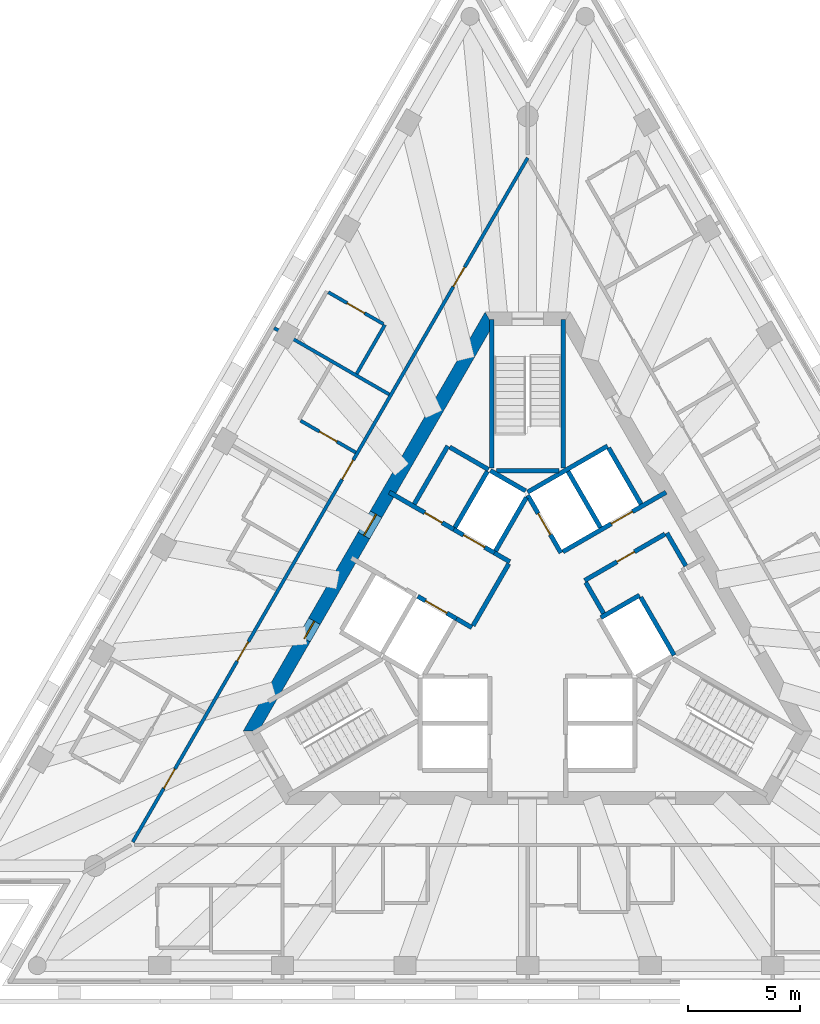
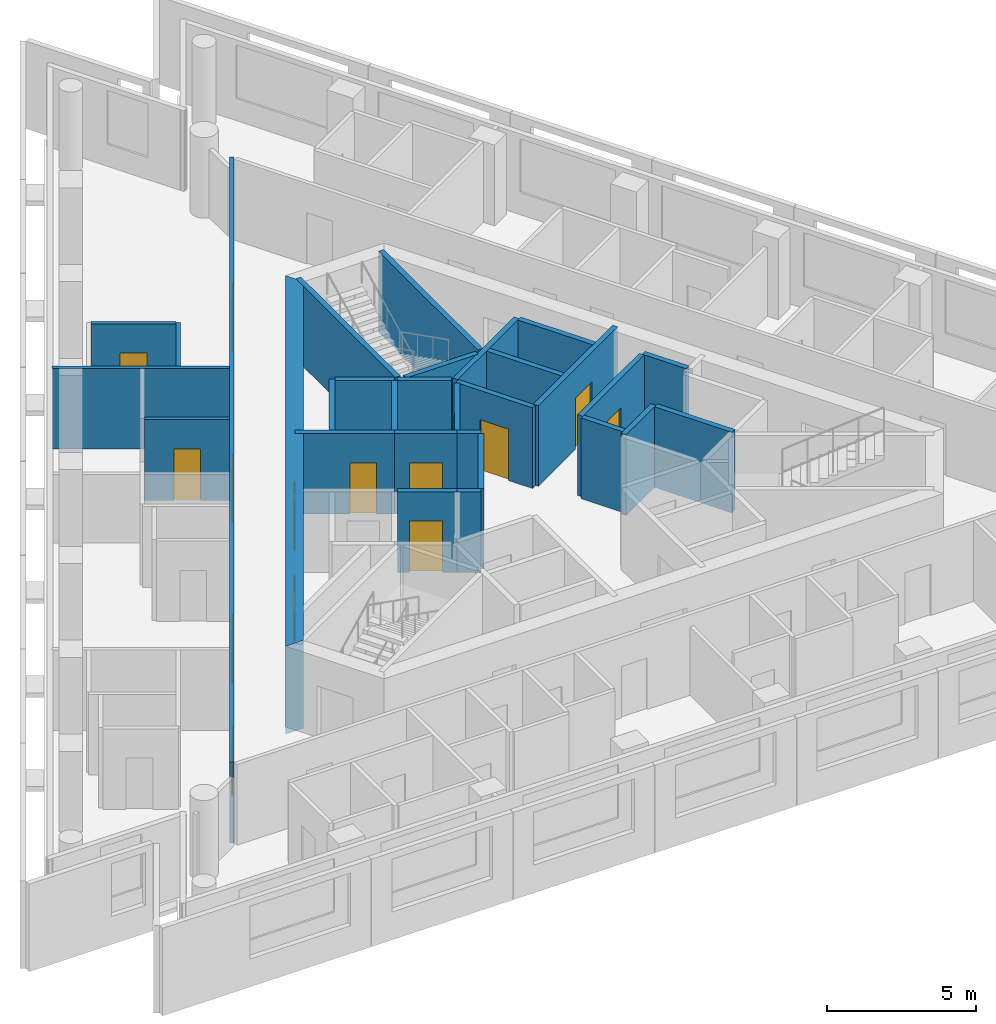
# One storey, part 5 of 9: 30 walls, 14 doors, 14 openings.
"""IFC4 building model written with IfcOpenShell, lengths in metres."""

from ifc_helpers import new_model, si_unit, direction, frame, frame_2d, origin, place, context, subcontext, project, spatial, polyline, rectangle, outline, extrude, material, layer, layer_set, type_object, element, fill, save


model = new_model("IFC4")

# Units and contexts
model_context = context("Model", 3, precision=1e-05, world=origin(), true_north=direction((0.0, 1.0)))
body_context = subcontext(model_context, "Body", "Model", "MODEL_VIEW")
ifc_project = project(units=[si_unit("LENGTHUNIT", "METRE"), si_unit("AREAUNIT", "SQUARE_METRE"), si_unit("VOLUMEUNIT", "CUBIC_METRE"), si_unit("PLANEANGLEUNIT", "RADIAN"), si_unit("MASSUNIT", "GRAM", prefix="KILO")], contexts=[model_context])

# Site, building, storey
site_placement = place(None, origin())
site = spatial("IfcSite", under=ifc_project, at=site_placement, CompositionType="ELEMENT")
building_placement = place(site_placement, origin())
building = spatial("IfcBuilding", under=site, at=building_placement, Name="Triada Interchange Tower", CompositionType="ELEMENT")
storey_placement = place(building_placement, frame((0.0, 0.0, 282.699951171875)))
storey = spatial("IfcBuildingStorey", under=building, at=storey_placement, Name="L66", CompositionType="ELEMENT", Elevation=282.699951171875)

# Wall
ifc_material_1 = material(Name="Concrete C30/37", Category="concrete")
ifc_layer_1 = layer(ifc_material_1, 0.199951171875)
ifc_layer_set_1 = layer_set([ifc_layer_1], Name="CORE WALL 200 EI 120")
wall_type_1 = type_object("IfcWallType", Name="CORE WALL 200 EI 120", PredefinedType="SOLIDWALL", material=ifc_layer_set_1)
wall_1_placement = place(storey_placement, frame((-0.001953125, 5.541015625, 0.0), z_axis=(0.0, 0.0, 1.0), x_axis=(0.86600155993, 0.500041296494, 0.0)))
element("IfcWall", 1, at=wall_1_placement, inside=storey, type_object=wall_type_1, Name="Wall L65 80", PredefinedType="SOLIDWALL", context=body_context, shape_type="SweptSolid", body=[
    extrude(rectangle(XDim=4.131591796875, YDim=0.199951171875, at=frame_2d((2.06591796875, 0.0))), origin(), (0.0, 0.0, 1.0), 3.300048828125),
])

# Wall, opening, door
wall_2_placement = place(storey_placement, frame((0.0, 5.39990234375, 0.0), z_axis=(0.0, 0.0, 1.0), x_axis=(0.500103862429, -0.865965430478, 0.0)))
wall_2 = element("IfcWall", 2, at=wall_2_placement, inside=storey, type_object=wall_type_1, Name="Wall L65 81", PredefinedType="SOLIDWALL", context=body_context, shape_type="SweptSolid", body=[
    extrude(rectangle(XDim=2.973388671875, YDim=0.199951171875, at=frame_2d((1.48681640625, 0.0))), origin(), (0.0, 0.0, 1.0), 3.300048828125),
])
opening_1_placement = place(wall_2_placement, frame((0.93701171875, 0.0, 0.0)))
opening_1 = element("IfcOpeningElement", 3, at=opening_1_placement, cuts=wall_2, Name="Opening LD-HR5", PredefinedType="OPENING", context=body_context, shape_type="SweptSolid", body=[
    extrude(rectangle(XDim=1.10009765625, YDim=2.10009765625, at=frame_2d((0.550048828125, 1.050048828125))), frame((0.0, 0.10986328125, 0.0), z_axis=(0.0, -1.0, 0.0), x_axis=(1.0, 0.0, 0.0)), (0.0, 0.0, 1.0), 0.219970703125),
])
ifc_material_2 = material(Name="Steel S235 door leaf", Category="steel")
door_type_1 = type_object("IfcDoorType", Name="LIFT LANDING DOOR 1100 EI 120", OperationType="SLIDING_TO_LEFT", PredefinedType="DOOR", material=ifc_material_2)
door_1_placement = place(opening_1_placement, origin())
door_1 = element("IfcDoor", 4, at=door_1_placement, inside=storey, type_object=door_type_1, Name="HR5 landing door L66", OperationType="SLIDING_TO_LEFT", OverallHeight=2.10009765625, OverallWidth=1.10009765625, PredefinedType="DOOR", context=body_context, shape_type="SweptSolid", body=[
    extrude(rectangle(XDim=1.10009765625, YDim=2.10009765625, at=frame_2d((0.550048828125, 1.050048828125))), frame((0.0, 0.02490234375, 0.0), z_axis=(0.0, -1.0, 0.0), x_axis=(1.0, 0.0, 0.0)), (0.0, 0.0, 1.0), 0.050048828125),
])
fill(opening_1, door_1)

wall_3_placement = place(storey_placement, frame((1.577880859375, 2.8740234375, 0.0), z_axis=(0.0, 0.0, 1.0), x_axis=(0.866045911672, 0.499964477614, 0.0)))
wall_3 = element("IfcWall", 5, at=wall_3_placement, inside=storey, type_object=wall_type_1, Name="Wall L65 83", PredefinedType="SOLIDWALL", context=body_context, shape_type="SweptSolid", body=[
    extrude(rectangle(XDim=5.32666015625, YDim=0.199951171875, at=frame_2d((2.663330078125, 0.0))), origin(), (0.0, 0.0, 1.0), 3.300048828125),
])
opening_2_placement = place(wall_3_placement, frame((2.49609375, 0.0, 0.0)))
opening_2 = element("IfcOpeningElement", 6, at=opening_2_placement, cuts=wall_3, Name="Opening LD-HR6", PredefinedType="OPENING", context=body_context, shape_type="SweptSolid", body=[
    extrude(rectangle(XDim=1.10009765625, YDim=2.10009765625, at=frame_2d((0.550048828125, 1.050048828125))), frame((0.0, 0.10986328125, 0.0), z_axis=(0.0, -1.0, 0.0), x_axis=(1.0, 0.0, 0.0)), (0.0, 0.0, 1.0), 0.219970703125),
])
door_2_placement = place(opening_2_placement, origin())
door_2 = element("IfcDoor", 7, at=door_2_placement, inside=storey, type_object=door_type_1, Name="HR6 landing door L66", OperationType="SLIDING_TO_LEFT", OverallHeight=2.10009765625, OverallWidth=1.10009765625, PredefinedType="DOOR", context=body_context, shape_type="SweptSolid", body=[
    extrude(rectangle(XDim=1.10009765625, YDim=2.10009765625, at=frame_2d((0.550048828125, 1.050048828125))), frame((0.0, 0.02490234375, 0.0), z_axis=(0.0, -1.0, 0.0), x_axis=(1.0, 0.0, 0.0)), (0.0, 0.0, 1.0), 0.050048828125),
])
fill(opening_2, door_2)

# Walls
wall_4_placement = place(storey_placement, frame((3.278076171875, -0.071044921875, 0.0), z_axis=(0.0, 0.0, 1.0), x_axis=(0.865855657918, 0.500293893279, 0.0)))
element("IfcWall", 8, at=wall_4_placement, inside=storey, type_object=wall_type_1, Name="Wall L65 86", PredefinedType="SOLIDWALL", context=body_context, shape_type="SweptSolid", body=[
    extrude(rectangle(XDim=1.996826171875, YDim=0.199951171875, at=frame_2d((0.99853515625, 0.0))), origin(), (0.0, 0.0, 1.0), 3.300048828125),
])
for number, where, z_axis, x_axis, name in (
    (9, (3.6259765625, 7.52001953125, 0.0), (0.0, 0.0, 1.0), (0.500060147554, -0.865990674793, 0.0), "Wall L65 88"),
    (10, (1.806884765625, 6.469970703125, 0.0), (0.0, 0.0, 1.0), (0.50012328804, -0.865954211699, 0.0), "Wall L65 89"),
):
    element("IfcWall", number, at=place(storey_placement, frame(where, z_axis=z_axis, x_axis=x_axis)), inside=storey, type_object=wall_type_1, Name=name, PredefinedType="SOLIDWALL", context=body_context, shape_type="SweptSolid", body=[
        extrude(rectangle(XDim=2.899658203125, YDim=0.199951171875, at=frame_2d((1.44970703125, 0.0))), origin(), (0.0, 0.0, 1.0), 3.300048828125),
    ])
wall_5_placement = place(storey_placement, frame((5.056884765625, 0.841064453125, 0.0), z_axis=(0.0, 0.0, 1.0), x_axis=(0.499990139034, -0.866031096941, 0.0)))
element("IfcWall", 11, at=wall_5_placement, inside=storey, type_object=wall_type_1, Name="Wall L65 90", PredefinedType="SOLIDWALL", context=body_context, shape_type="SweptSolid", body=[
    extrude(rectangle(XDim=3.0, YDim=0.199951171875, at=frame_2d((1.5, 0.0))), origin(), (0.0, 0.0, 1.0), 3.300048828125),
])
wall_6_placement = place(storey_placement, frame((6.22900390625, 3.7119140625, 0.0), z_axis=(0.0, 0.0, 1.0), x_axis=(0.499875724984, -0.86609714211, 0.0)))
element("IfcWall", 12, at=wall_6_placement, inside=storey, type_object=wall_type_1, Name="Wall L65 92", PredefinedType="SOLIDWALL", context=body_context, shape_type="SweptSolid", body=[
    extrude(rectangle(XDim=1.70068359375, YDim=0.199951171875, at=frame_2d((0.850341796875, 0.0))), origin(), (0.0, 0.0, 1.0), 3.300048828125),
])

# Wall, opening, door
wall_7_placement = place(storey_placement, frame((2.548095703125, 1.5869140625, 0.0), z_axis=(0.0, 0.0, 1.0), x_axis=(0.866004344652, 0.500036473714, 0.0)))
wall_7 = element("IfcWall", 13, at=wall_7_placement, inside=storey, type_object=wall_type_1, Name="Wall L65 93", PredefinedType="SOLIDWALL", context=body_context, shape_type="SweptSolid", body=[
    extrude(rectangle(XDim=4.150146484375, YDim=0.199951171875, at=frame_2d((2.0751953125, 0.0))), origin(), (0.0, 0.0, 1.0), 3.300048828125),
])
opening_3_placement = place(wall_7_placement, frame((1.675048828125, 0.0, 0.0)))
opening_3 = element("IfcOpeningElement", 14, at=opening_3_placement, cuts=wall_7, Name="Opening D65-58", PredefinedType="OPENING", context=body_context, shape_type="SweptSolid", body=[
    extrude(rectangle(XDim=0.89990234375, YDim=2.10009765625, at=frame_2d((0.449951171875, 1.050048828125))), frame((0.0, 0.10986328125, 0.0), z_axis=(0.0, -1.0, 0.0), x_axis=(1.0, 0.0, 0.0)), (0.0, 0.0, 1.0), 0.219970703125),
])
door_type_2 = type_object("IfcDoorType", Name="SERVICE DOOR 900 EI2 45-C5S200", OperationType="NOTDEFINED", PredefinedType="DOOR", material=ifc_material_2)
door_3_placement = place(opening_3_placement, origin())
door_3 = element("IfcDoor", 15, at=door_3_placement, inside=storey, type_object=door_type_2, Name="Door D65-58 L66", OperationType="SINGLE_SWING_RIGHT", OverallHeight=2.10009765625, OverallWidth=0.89990234375, PredefinedType="DOOR", context=body_context, shape_type="SweptSolid", body=[
    extrude(rectangle(XDim=0.89990234375, YDim=2.10009765625, at=frame_2d((0.449951171875, 1.050048828125))), frame((0.0, 0.02490234375, 0.0), z_axis=(0.0, -1.0, 0.0), x_axis=(1.0, 0.0, 0.0)), (0.0, 0.0, 1.0), 0.050048828125),
])
fill(opening_3, door_3)

# Walls
wall_8_placement = place(storey_placement, frame((2.597900390625, 1.5, 0.0), z_axis=(0.0, 0.0, 1.0), x_axis=(0.499929347863, -0.866066190972, 0.0)))
element("IfcWall", 16, at=wall_8_placement, inside=storey, type_object=wall_type_1, Name="Wall L65 94", PredefinedType="SOLIDWALL", context=body_context, shape_type="SweptSolid", body=[
    extrude(rectangle(XDim=1.600341796875, YDim=0.199951171875, at=frame_2d((0.80029296875, 0.0))), origin(), (0.0, 0.0, 1.0), 3.300048828125),
])
ifc_layer_2 = layer(ifc_material_1, 0.199951171875)
ifc_layer_set_2 = layer_set([ifc_layer_2], Name="CORE WALL 200 EI 180")
wall_type_2 = type_object("IfcWallType", Name="CORE WALL 200 EI 180", PredefinedType="SOLIDWALL", material=ifc_layer_set_2)
wall_9_placement = place(storey_placement, frame((-3.18798828125, -0.1220703125, 0.0), z_axis=(0.0, 0.0, 1.0), x_axis=(0.865705793592, -0.50055317294, 0.0)))
element("IfcWall", 17, at=wall_9_placement, inside=storey, type_object=wall_type_2, Name="Wall L65 96", PredefinedType="SOLIDWALL", context=body_context, shape_type="SweptSolid", body=[
    extrude(rectangle(XDim=0.796875, YDim=0.199951171875, at=frame_2d((0.3984375, 0.0))), origin(), (0.0, 0.0, 1.0), 3.300048828125),
])

# Wall, opening, door
wall_10_placement = place(storey_placement, frame((-6.19091796875, 5.537109375, 0.0), z_axis=(0.0, 0.0, 1.0), x_axis=(0.866052607023, -0.499952879648, 0.0)))
wall_10 = element("IfcWall", 18, at=wall_10_placement, inside=storey, type_object=wall_type_2, Name="Wall L65 97", PredefinedType="SOLIDWALL", context=body_context, shape_type="SweptSolid", body=[
    extrude(rectangle(XDim=3.332275390625, YDim=0.199951171875, at=frame_2d((1.666015625, 0.0))), origin(), (0.0, 0.0, 1.0), 3.300048828125),
])
opening_4_placement = place(wall_10_placement, frame((1.830078125, 0.0, 0.0)))
opening_4 = element("IfcOpeningElement", 19, at=opening_4_placement, cuts=wall_10, Name="Opening D65-10", PredefinedType="OPENING", context=body_context, shape_type="SweptSolid", body=[
    extrude(rectangle(XDim=0.89990234375, YDim=2.10009765625, at=frame_2d((0.449951171875, 1.050048828125))), frame((0.0, 0.10986328125, 0.0), z_axis=(0.0, -1.0, 0.0), x_axis=(1.0, 0.0, 0.0)), (0.0, 0.0, 1.0), 0.219970703125),
])
door_type_3 = type_object("IfcDoorType", Name="SERVICE DOOR 900 EI2 90-C5S200", OperationType="NOTDEFINED", PredefinedType="DOOR", material=ifc_material_2)
door_4_placement = place(opening_4_placement, origin())
door_4 = element("IfcDoor", 20, at=door_4_placement, inside=storey, type_object=door_type_3, Name="Door D65-10 L66", OperationType="SINGLE_SWING_LEFT", OverallHeight=2.10009765625, OverallWidth=0.89990234375, PredefinedType="DOOR", context=body_context, shape_type="SweptSolid", body=[
    extrude(rectangle(XDim=0.89990234375, YDim=2.10009765625, at=frame_2d((0.449951171875, 1.050048828125))), frame((0.0, 0.02490234375, 0.0), z_axis=(0.0, -1.0, 0.0), x_axis=(1.0, 0.0, 0.0)), (0.0, 0.0, 1.0), 0.050048828125),
])
fill(opening_4, door_4)

# Walls
wall_11_placement = place(storey_placement, frame((-1.488037109375, 2.822021484375, 0.0), z_axis=(0.0, 0.0, 1.0), x_axis=(0.866236612152, -0.499633997809, 0.0)))
element("IfcWall", 21, at=wall_11_placement, inside=storey, type_object=wall_type_2, Name="Wall L65 98", PredefinedType="SOLIDWALL", context=body_context, shape_type="SweptSolid", body=[
    extrude(rectangle(XDim=0.79638671875, YDim=0.199951171875, at=frame_2d((0.398193359375, 0.0))), origin(), (0.0, 0.0, 1.0), 3.300048828125),
])
wall_12_placement = place(storey_placement, frame((-5.075927734375, 5.009033203125, 0.0), z_axis=(0.0, 0.0, 1.0), x_axis=(0.50002537861, 0.866010750942, 0.0)))
element("IfcWall", 22, at=wall_12_placement, inside=storey, type_object=wall_type_2, Name="Wall L65 99", PredefinedType="SOLIDWALL", context=body_context, shape_type="SweptSolid", body=[
    extrude(rectangle(XDim=2.999755859375, YDim=0.199951171875, at=frame_2d((1.5, 0.0))), origin(), (0.0, 0.0, 1.0), 3.300048828125),
])
wall_13_placement = place(storey_placement, frame((-3.489013671875, 7.556884765625, 0.0), z_axis=(0.0, 0.0, 1.0), x_axis=(0.866010750942, -0.50002537861, 0.0)))
element("IfcWall", 23, at=wall_13_placement, inside=storey, type_object=wall_type_2, Name="Wall L65 100", PredefinedType="SOLIDWALL", context=body_context, shape_type="SweptSolid", body=[
    extrude(rectangle(XDim=2.0, YDim=0.199951171875, at=frame_2d((1.0, 0.0))), origin(), (0.0, 0.0, 1.0), 3.300048828125),
])
wall_14_placement = place(storey_placement, frame((-2.444091796875, -0.43310546875, 0.0), z_axis=(0.0, 0.0, 1.0), x_axis=(0.500035624827, 0.866004834804, 0.0)))
element("IfcWall", 24, at=wall_14_placement, inside=storey, type_object=wall_type_2, Name="Wall L65 101", PredefinedType="SOLIDWALL", context=body_context, shape_type="SweptSolid", body=[
    extrude(rectangle(XDim=3.194091796875, YDim=0.199951171875, at=frame_2d((1.59716796875, 0.0))), origin(), (0.0, 0.0, 1.0), 3.300048828125),
])

# Wall, opening, door
wall_15_placement = place(storey_placement, frame((-4.922119140625, 0.87890625, 0.0), z_axis=(0.0, 0.0, 1.0), x_axis=(0.866073918653, -0.499915960366, 0.0)))
wall_15 = element("IfcWall", 25, at=wall_15_placement, inside=storey, type_object=wall_type_2, Name="Shaft wall FF1 L65 104", PredefinedType="SOLIDWALL", context=body_context, shape_type="SweptSolid", body=[
    extrude(rectangle(XDim=2.002197265625, YDim=0.199951171875, at=frame_2d((1.0009765625, 0.0))), origin(), (0.0, 0.0, 1.0), 3.300048828125),
])
opening_5_placement = place(wall_15_placement, frame((0.402099609375, 0.0, 0.0)))
opening_5 = element("IfcOpeningElement", 26, at=opening_5_placement, cuts=wall_15, Name="Opening LD-FF1", PredefinedType="OPENING", context=body_context, shape_type="SweptSolid", body=[
    extrude(rectangle(XDim=1.10009765625, YDim=2.10009765625, at=frame_2d((0.550048828125, 1.050048828125))), frame((0.0, 0.10986328125, 0.0), z_axis=(0.0, -1.0, 0.0), x_axis=(1.0, 0.0, 0.0)), (0.0, 0.0, 1.0), 0.219970703125),
])
door_5_placement = place(opening_5_placement, origin())
door_5 = element("IfcDoor", 27, at=door_5_placement, inside=storey, type_object=door_type_1, Name="FF1 landing door L66", OperationType="SLIDING_TO_LEFT", OverallHeight=2.10009765625, OverallWidth=1.10009765625, PredefinedType="DOOR", context=body_context, shape_type="SweptSolid", body=[
    extrude(rectangle(XDim=1.10009765625, YDim=2.10009765625, at=frame_2d((0.550048828125, 1.050048828125))), frame((0.0, 0.02490234375, 0.0), z_axis=(0.0, -1.0, 0.0), x_axis=(1.0, 0.0, 0.0)), (0.0, 0.0, 1.0), 0.050048828125),
])
fill(opening_5, door_5)

wall_16_placement = place(storey_placement, frame((-3.30908203125, 3.873046875, 0.0), z_axis=(0.0, 0.0, 1.0), x_axis=(0.866098583652, -0.499873227325, 0.0)))
wall_16 = element("IfcWall", 28, at=wall_16_placement, inside=storey, type_object=wall_type_2, Name="Shaft wall FF2 L65 106", PredefinedType="SOLIDWALL", context=body_context, shape_type="SweptSolid", body=[
    extrude(rectangle(XDim=2.1025390625, YDim=0.199951171875, at=frame_2d((1.05126953125, 0.0))), origin(), (0.0, 0.0, 1.0), 3.300048828125),
])
opening_6_placement = place(wall_16_placement, frame((0.501953125, 0.0, 0.0)))
opening_6 = element("IfcOpeningElement", 29, at=opening_6_placement, cuts=wall_16, Name="Opening LD-FF2", PredefinedType="OPENING", context=body_context, shape_type="SweptSolid", body=[
    extrude(rectangle(XDim=1.10009765625, YDim=2.10009765625, at=frame_2d((0.550048828125, 1.050048828125))), frame((0.0, 0.10986328125, 0.0), z_axis=(0.0, -1.0, 0.0), x_axis=(1.0, 0.0, 0.0)), (0.0, 0.0, 1.0), 0.219970703125),
])
door_6_placement = place(opening_6_placement, origin())
door_6 = element("IfcDoor", 30, at=door_6_placement, inside=storey, type_object=door_type_1, Name="FF2 landing door L66", OperationType="SLIDING_TO_LEFT", OverallHeight=2.10009765625, OverallWidth=1.10009765625, PredefinedType="DOOR", context=body_context, shape_type="SweptSolid", body=[
    extrude(rectangle(XDim=1.10009765625, YDim=2.10009765625, at=frame_2d((0.550048828125, 1.050048828125))), frame((0.0, 0.02490234375, 0.0), z_axis=(0.0, -1.0, 0.0), x_axis=(1.0, 0.0, 0.0)), (0.0, 0.0, 1.0), 0.050048828125),
])
fill(opening_6, door_6)

# Walls
wall_17_placement = place(storey_placement, frame((-3.257080078125, 3.958984375, 0.0), z_axis=(0.0, 0.0, 1.0), x_axis=(0.50012328804, 0.865954211699, 0.0)))
element("IfcWall", 31, at=wall_17_placement, inside=storey, type_object=wall_type_2, Name="Shaft wall FF2 L65 107", PredefinedType="SOLIDWALL", context=body_context, shape_type="SweptSolid", body=[
    extrude(rectangle(XDim=2.899658203125, YDim=0.199951171875, at=frame_2d((1.44970703125, 0.0))), origin(), (0.0, 0.0, 1.0), 3.300048828125),
])
wall_18_placement = place(storey_placement, frame((-1.669921875, 6.507080078125, 0.0), z_axis=(0.0, 0.0, 1.0), x_axis=(0.865941441609, -0.500145398563, 0.0)))
element("IfcWall", 32, at=wall_18_placement, inside=storey, type_object=wall_type_2, Name="Shaft wall FF2 L65 108", PredefinedType="SOLIDWALL", context=body_context, shape_type="SweptSolid", body=[
    extrude(rectangle(XDim=1.8154296875, YDim=0.199951171875, at=frame_2d((0.90771484375, 0.0))), origin(), (0.0, 0.0, 1.0), 3.300048828125),
])
wall_19_placement = place(storey_placement, frame((-1.43798828125, 2.908935546875, 0.0), z_axis=(0.0, 0.0, 1.0), x_axis=(0.499829630636, 0.866123744241, 0.0)))
element("IfcWall", 33, at=wall_19_placement, inside=storey, type_object=wall_type_2, Name="Shaft wall FF2 L65 109", PredefinedType="SOLIDWALL", context=body_context, shape_type="SweptSolid", body=[
    extrude(rectangle(XDim=2.7607421875, YDim=0.199951171875, at=frame_2d((1.38037109375, 0.0))), origin(), (0.0, 0.0, 1.0), 3.300048828125),
])
ifc_layer_3 = layer(ifc_material_1, 0.199951171875)
ifc_layer_set_3 = layer_set([ifc_layer_3], Name="CORE WALL 200 REI 240")
wall_type_3 = type_object("IfcWallType", Name="CORE WALL 200 REI 240", PredefinedType="SOLIDWALL", material=ifc_layer_set_3)
wall_20_placement = place(storey_placement, frame((1.60009765625, 6.614990234375, 0.0), z_axis=(0.0, 0.0, 1.0), x_axis=(0.0, 1.0, 0.0)))
element("IfcWall", 34, at=wall_20_placement, inside=storey, type_object=wall_type_3, Name="Wall L65 118", PredefinedType="SOLIDWALL", context=body_context, shape_type="SweptSolid", body=[
    extrude(rectangle(XDim=6.6650390625, YDim=0.199951171875, at=frame_2d((3.33251953125, 0.0))), origin(), (0.0, 0.0, 1.0), 3.300048828125),
])
wall_21_placement = place(storey_placement, frame((-1.39990234375, 6.5, 0.0), z_axis=(0.0, 0.0, 1.0), x_axis=(1.0, 0.0, 0.0)))
element("IfcWall", 35, at=wall_21_placement, inside=storey, type_object=wall_type_3, Name="Wall L65 119", PredefinedType="SOLIDWALL", context=body_context, shape_type="SweptSolid", body=[
    extrude(rectangle(XDim=2.7998046875, YDim=0.199951171875, at=frame_2d((1.39990234375, 0.0))), origin(), (0.0, 0.0, 1.0), 3.300048828125),
])
wall_22_placement = place(storey_placement, frame((-1.60009765625, 6.614990234375, 0.0), z_axis=(0.0, 0.0, 1.0), x_axis=(0.0, 1.0, 0.0)))
element("IfcWall", 36, at=wall_22_placement, inside=storey, type_object=wall_type_3, Name="Wall L65 120", PredefinedType="SOLIDWALL", context=body_context, shape_type="SweptSolid", body=[
    extrude(rectangle(XDim=6.6650390625, YDim=0.199951171875, at=frame_2d((3.33251953125, 0.0))), origin(), (0.0, 0.0, 1.0), 3.300048828125),
])

# Wall, openings, doors
ifc_material_3 = material(Name="Concrete C40/50", Category="concrete")
ifc_layer_4 = layer(ifc_material_3, 0.60009765625)
ifc_layer_set_4 = layer_set([ifc_layer_4], Name="Core wall D 600")
wall_type_4 = type_object("IfcWallType", Name="Core wall D 600", PredefinedType="SHEAR", material=ifc_layer_set_4)
wall_23_placement = place(storey_placement, frame((-1.73193359375, 13.300048828125, -0.300048828125), z_axis=(0.0, 0.0, 1.0), x_axis=(-0.500000539815, -0.866025092122, 0.0)))
wall_23 = element("IfcWall", 37, at=wall_23_placement, inside=storey, type_object=wall_type_4, Name="Core wall WD02 L66", PredefinedType="SHEAR", context=body_context, shape_type="SweptSolid", body=[
    extrude(outline(polyline([(-0.173095703125, -0.300048828125), (1.795166015625, -0.300048828125), (3.763427734375, -0.30029296875), (5.731689453125, -0.30029296875), (7.699951171875, -0.30029296875), (9.668212890625, -0.300537109375), (11.63671875, -0.300537109375), (13.60498046875, -0.30078125), (15.5732421875, -0.30078125), (17.54150390625, -0.30078125), (19.509765625, -0.301025390625), (21.47802734375, -0.301025390625), (21.131103515625, 0.300048828125), (19.225830078125, 0.300048828125), (17.320556640625, 0.300048828125), (15.415283203125, 0.300048828125), (13.510009765625, 0.300048828125), (11.604736328125, 0.300048828125), (9.699462890625, 0.300048828125), (7.794189453125, 0.300048828125), (5.888916015625, 0.300048828125), (3.983642578125, 0.300048828125), (2.078369140625, 0.300048828125), (0.173095703125, 0.300048828125), (-0.173095703125, -0.300048828125)])), origin(), (0.0, 0.0, 1.0), 3.60009765625),
])
opening_7_placement = place(wall_23_placement, frame((10.10205078125, 0.0, 0.300048828125)))
opening_7 = element("IfcOpeningElement", 38, at=opening_7_placement, cuts=wall_23, Name="Opening D65-52", PredefinedType="OPENING", context=body_context, shape_type="SweptSolid", body=[
    extrude(rectangle(XDim=1.10009765625, YDim=2.10009765625, at=frame_2d((0.550048828125, 1.050048828125))), frame((0.0, 0.31005859375, 0.0), z_axis=(0.0, -1.0, 0.0), x_axis=(1.0, 0.0, 0.0)), (0.0, 0.0, 1.0), 0.62109375),
])
opening_8_placement = place(wall_23_placement, frame((15.626953125, 0.0, 0.300048828125)))
opening_8 = element("IfcOpeningElement", 39, at=opening_8_placement, cuts=wall_23, Name="Opening D65-53", PredefinedType="OPENING", context=body_context, shape_type="SweptSolid", body=[
    extrude(rectangle(XDim=0.89990234375, YDim=2.10009765625, at=frame_2d((0.449951171875, 1.050048828125))), frame((0.0, 0.31005859375, 0.0), z_axis=(0.0, -1.0, 0.0), x_axis=(1.0, 0.0, 0.0)), (0.0, 0.0, 1.0), 0.62109375),
])
door_type_4 = type_object("IfcDoorType", Name="FIRE LOBBY DOOR 1100 EI2 90-C5S200", OperationType="NOTDEFINED", PredefinedType="DOOR", material=ifc_material_2)
door_7_placement = place(opening_7_placement, origin())
door_7 = element("IfcDoor", 40, at=door_7_placement, inside=storey, type_object=door_type_4, Name="Door D65-52 L66", OperationType="SINGLE_SWING_RIGHT", OverallHeight=2.10009765625, OverallWidth=1.10009765625, PredefinedType="DOOR", context=body_context, shape_type="SweptSolid", body=[
    extrude(rectangle(XDim=1.10009765625, YDim=2.10009765625, at=frame_2d((0.550048828125, 1.050048828125))), frame((0.0, 0.02490234375, 0.0), z_axis=(0.0, -1.0, 0.0), x_axis=(1.0, 0.0, 0.0)), (0.0, 0.0, 1.0), 0.050048828125),
])
fill(opening_7, door_7)
door_type_5 = type_object("IfcDoorType", Name="RISER ACCESS DOOR 900 EI2 45-C5S200", OperationType="NOTDEFINED", PredefinedType="DOOR", material=ifc_material_2)
door_8_placement = place(opening_8_placement, origin())
door_8 = element("IfcDoor", 41, at=door_8_placement, inside=storey, type_object=door_type_5, Name="Door D65-53 L66", OperationType="SINGLE_SWING_RIGHT", OverallHeight=2.10009765625, OverallWidth=0.89990234375, PredefinedType="DOOR", context=body_context, shape_type="SweptSolid", body=[
    extrude(rectangle(XDim=0.89990234375, YDim=2.10009765625, at=frame_2d((0.449951171875, 1.050048828125))), frame((0.0, 0.02490234375, 0.0), z_axis=(0.0, -1.0, 0.0), x_axis=(1.0, 0.0, 0.0)), (0.0, 0.0, 1.0), 0.050048828125),
])
fill(opening_8, door_8)

ifc_material_4 = material(Name="Gypsum board partition")
ifc_layer_5 = layer(ifc_material_4, 0.14990234375)
ifc_layer_set_5 = layer_set([ifc_layer_5], Name="PARTITION 150 EI 180")
wall_type_5 = type_object("IfcWallType", Name="PARTITION 150 EI 180", PredefinedType="PARTITIONING", material=ifc_layer_set_5)
wall_24_placement = place(storey_placement, frame((-17.677978515625, -10.118896484375, 0.0), z_axis=(0.0, 0.0, 1.0), x_axis=(0.500003190174, 0.866023561929, 0.0)))
wall_24 = element("IfcWall", 42, at=wall_24_placement, inside=storey, type_object=wall_type_5, Name="Wall L65 4", PredefinedType="PARTITIONING", context=body_context, shape_type="SweptSolid", body=[
    extrude(rectangle(XDim=35.355712890625, YDim=0.14990234375, at=frame_2d((17.677734375, 0.0))), origin(), (0.0, 0.0, 1.0), 3.300048828125),
])
opening_9_placement = place(wall_24_placement, frame((28.7060546875, 0.0, 0.0)))
opening_9 = element("IfcOpeningElement", 43, at=opening_9_placement, cuts=wall_24, Name="Opening D65-38", PredefinedType="OPENING", context=body_context, shape_type="SweptSolid", body=[
    extrude(rectangle(XDim=1.0, YDim=2.10009765625, at=frame_2d((0.5, 1.050048828125))), frame((0.0, 0.0849609375, 0.0), z_axis=(0.0, -1.0, 0.0), x_axis=(1.0, 0.0, 0.0)), (0.0, 0.0, 1.0), 0.169921875),
])
opening_10_placement = place(wall_24_placement, frame((18.739990234375, 0.0, 0.0)))
opening_10 = element("IfcOpeningElement", 44, at=opening_10_placement, cuts=wall_24, Name="Opening D65-40", PredefinedType="OPENING", context=body_context, shape_type="SweptSolid", body=[
    extrude(rectangle(XDim=1.0, YDim=2.10009765625, at=frame_2d((0.5, 1.050048828125))), frame((0.0, 0.0849609375, 0.0), z_axis=(0.0, -1.0, 0.0), x_axis=(1.0, 0.0, 0.0)), (0.0, 0.0, 1.0), 0.169921875),
])
opening_11_placement = place(wall_24_placement, frame((9.35205078125, 0.0, 0.0)))
opening_11 = element("IfcOpeningElement", 45, at=opening_11_placement, cuts=wall_24, Name="Opening D65-42", PredefinedType="OPENING", context=body_context, shape_type="SweptSolid", body=[
    extrude(rectangle(XDim=1.0, YDim=2.10009765625, at=frame_2d((0.5, 1.050048828125))), frame((0.0, 0.0849609375, 0.0), z_axis=(0.0, -1.0, 0.0), x_axis=(1.0, 0.0, 0.0)), (0.0, 0.0, 1.0), 0.169921875),
])
opening_12_placement = place(wall_24_placement, frame((2.777099609375, 0.0, 0.0)))
opening_12 = element("IfcOpeningElement", 46, at=opening_12_placement, cuts=wall_24, Name="Opening D65-45", PredefinedType="OPENING", context=body_context, shape_type="SweptSolid", body=[
    extrude(rectangle(XDim=1.0, YDim=2.10009765625, at=frame_2d((0.5, 1.050048828125))), frame((0.0, 0.0849609375, 0.0), z_axis=(0.0, -1.0, 0.0), x_axis=(1.0, 0.0, 0.0)), (0.0, 0.0, 1.0), 0.169921875),
])
door_type_6 = type_object("IfcDoorType", Name="GUEST ROOM DOOR 1000 EI2 90-C5S200", OperationType="NOTDEFINED", PredefinedType="DOOR", material=ifc_material_2)
door_9_placement = place(opening_9_placement, origin())
door_9 = element("IfcDoor", 47, at=door_9_placement, inside=storey, type_object=door_type_6, Name="Door D65-38 L66", OperationType="SINGLE_SWING_RIGHT", OverallHeight=2.10009765625, OverallWidth=1.0, PredefinedType="DOOR", context=body_context, shape_type="SweptSolid", body=[
    extrude(rectangle(XDim=1.0, YDim=2.10009765625, at=frame_2d((0.5, 1.050048828125))), frame((0.0, 0.02490234375, 0.0), z_axis=(0.0, -1.0, 0.0), x_axis=(1.0, 0.0, 0.0)), (0.0, 0.0, 1.0), 0.050048828125),
])
fill(opening_9, door_9)
door_10_placement = place(opening_10_placement, origin())
door_10 = element("IfcDoor", 48, at=door_10_placement, inside=storey, type_object=door_type_6, Name="Door D65-40 L66", OperationType="SINGLE_SWING_LEFT", OverallHeight=2.10009765625, OverallWidth=1.0, PredefinedType="DOOR", context=body_context, shape_type="SweptSolid", body=[
    extrude(rectangle(XDim=1.0, YDim=2.10009765625, at=frame_2d((0.5, 1.050048828125))), frame((0.0, 0.02490234375, 0.0), z_axis=(0.0, -1.0, 0.0), x_axis=(1.0, 0.0, 0.0)), (0.0, 0.0, 1.0), 0.050048828125),
])
fill(opening_10, door_10)
door_11_placement = place(opening_11_placement, origin())
door_11 = element("IfcDoor", 49, at=door_11_placement, inside=storey, type_object=door_type_6, Name="Door D65-42 L66", OperationType="SINGLE_SWING_LEFT", OverallHeight=2.10009765625, OverallWidth=1.0, PredefinedType="DOOR", context=body_context, shape_type="SweptSolid", body=[
    extrude(rectangle(XDim=1.0, YDim=2.10009765625, at=frame_2d((0.5, 1.050048828125))), frame((0.0, 0.02490234375, 0.0), z_axis=(0.0, -1.0, 0.0), x_axis=(1.0, 0.0, 0.0)), (0.0, 0.0, 1.0), 0.050048828125),
])
fill(opening_11, door_11)
door_12_placement = place(opening_12_placement, origin())
door_12 = element("IfcDoor", 50, at=door_12_placement, inside=storey, type_object=door_type_6, Name="Door D65-45 L66", OperationType="SINGLE_SWING_LEFT", OverallHeight=2.10009765625, OverallWidth=1.0, PredefinedType="DOOR", context=body_context, shape_type="SweptSolid", body=[
    extrude(rectangle(XDim=1.0, YDim=2.10009765625, at=frame_2d((0.5, 1.050048828125))), frame((0.0, 0.02490234375, 0.0), z_axis=(0.0, -1.0, 0.0), x_axis=(1.0, 0.0, 0.0)), (0.0, 0.0, 1.0), 0.050048828125),
])
fill(opening_12, door_12)

# Walls
wall_25_placement = place(storey_placement, frame((-11.35009765625, 12.889892578125, 0.0), z_axis=(0.0, 0.0, 1.0), x_axis=(0.866004483474, -0.50003623329, 0.0)))
element("IfcWall", 51, at=wall_25_placement, inside=storey, type_object=wall_type_5, Name="Wall L65 8", PredefinedType="PARTITIONING", context=body_context, shape_type="SweptSolid", body=[
    extrude(rectangle(XDim=5.94921875, YDim=0.14990234375, at=frame_2d((2.974609375, 0.0))), origin(), (0.0, 0.0, 1.0), 3.300048828125),
])
ifc_layer_6 = layer(ifc_material_4, 0.14990234375)
ifc_layer_set_6 = layer_set([ifc_layer_6], Name="PARTITION 150 EI 90")
wall_type_6 = type_object("IfcWallType", Name="PARTITION 150 EI 90", PredefinedType="PARTITIONING", material=ifc_layer_set_6)
wall_26_placement = place(storey_placement, frame((-7.654052734375, 10.843017578125, 0.0), z_axis=(0.0, 0.0, 1.0), x_axis=(0.499956887143, 0.866050293573, 0.0)))
element("IfcWall", 52, at=wall_26_placement, inside=storey, type_object=wall_type_6, Name="Wall L65 35", PredefinedType="PARTITIONING", context=body_context, shape_type="SweptSolid", body=[
    extrude(rectangle(XDim=2.524169921875, YDim=0.14990234375, at=frame_2d((1.26220703125, 0.0))), origin(), (0.0, 0.0, 1.0), 3.300048828125),
])

# Wall, opening, door
wall_27_placement = place(storey_placement, frame((-10.166015625, 8.741943359375, 0.0), z_axis=(0.0, 0.0, 1.0), x_axis=(0.866004402611, -0.500036373335, 0.0)))
wall_27 = element("IfcWall", 53, at=wall_27_placement, inside=storey, type_object=wall_type_6, Name="Wall L65 53", PredefinedType="PARTITIONING", context=body_context, shape_type="SweptSolid", body=[
    extrude(rectangle(XDim=2.849853515625, YDim=0.14990234375, at=frame_2d((1.4248046875, 0.0))), origin(), (0.0, 0.0, 1.0), 3.300048828125),
])
opening_13_placement = place(wall_27_placement, frame((0.97509765625, 0.0, 0.0)))
opening_13 = element("IfcOpeningElement", 54, at=opening_13_placement, cuts=wall_27, Name="Opening D65-41", PredefinedType="OPENING", context=body_context, shape_type="SweptSolid", body=[
    extrude(rectangle(XDim=0.89990234375, YDim=2.10009765625, at=frame_2d((0.449951171875, 1.050048828125))), frame((0.0, 0.0849609375, 0.0), z_axis=(0.0, -1.0, 0.0), x_axis=(1.0, 0.0, 0.0)), (0.0, 0.0, 1.0), 0.169921875),
])
door_type_7 = type_object("IfcDoorType", Name="ROOM DOOR 900 EI2 45-C5S200", OperationType="NOTDEFINED", PredefinedType="DOOR", material=ifc_material_2)
door_13_placement = place(opening_13_placement, origin())
door_13 = element("IfcDoor", 55, at=door_13_placement, inside=storey, type_object=door_type_7, Name="Door D65-41 L66", OperationType="SINGLE_SWING_RIGHT", OverallHeight=2.10009765625, OverallWidth=0.89990234375, PredefinedType="DOOR", context=body_context, shape_type="SweptSolid", body=[
    extrude(rectangle(XDim=0.89990234375, YDim=2.10009765625, at=frame_2d((0.449951171875, 1.050048828125))), frame((0.0, 0.02490234375, 0.0), z_axis=(0.0, -1.0, 0.0), x_axis=(1.0, 0.0, 0.0)), (0.0, 0.0, 1.0), 0.050048828125),
])
fill(opening_13, door_13)

wall_28_placement = place(storey_placement, frame((-8.925048828125, 14.491943359375, 0.0), z_axis=(0.0, 0.0, 1.0), x_axis=(0.866004402611, -0.500036373335, 0.0)))
wall_28 = element("IfcWall", 56, at=wall_28_placement, inside=storey, type_object=wall_type_6, Name="Wall L65 69", PredefinedType="PARTITIONING", context=body_context, shape_type="SweptSolid", body=[
    extrude(rectangle(XDim=2.849853515625, YDim=0.14990234375, at=frame_2d((1.4248046875, 0.0))), origin(), (0.0, 0.0, 1.0), 3.300048828125),
])
opening_14_placement = place(wall_28_placement, frame((0.97509765625, 0.0, 0.0)))
opening_14 = element("IfcOpeningElement", 57, at=opening_14_placement, cuts=wall_28, Name="Opening D65-39", PredefinedType="OPENING", context=body_context, shape_type="SweptSolid", body=[
    extrude(rectangle(XDim=0.89990234375, YDim=2.10009765625, at=frame_2d((0.449951171875, 1.050048828125))), frame((0.0, 0.0849609375, 0.0), z_axis=(0.0, -1.0, 0.0), x_axis=(1.0, 0.0, 0.0)), (0.0, 0.0, 1.0), 0.169921875),
])
door_14_placement = place(opening_14_placement, origin())
door_14 = element("IfcDoor", 58, at=door_14_placement, inside=storey, type_object=door_type_7, Name="Door D65-39 L66", OperationType="SINGLE_SWING_RIGHT", OverallHeight=2.10009765625, OverallWidth=0.89990234375, PredefinedType="DOOR", context=body_context, shape_type="SweptSolid", body=[
    extrude(rectangle(XDim=0.89990234375, YDim=2.10009765625, at=frame_2d((0.449951171875, 1.050048828125))), frame((0.0, 0.02490234375, 0.0), z_axis=(0.0, -1.0, 0.0), x_axis=(1.0, 0.0, 0.0)), (0.0, 0.0, 1.0), 0.050048828125),
])
fill(opening_14, door_14)

save(model, "model.ifc")
